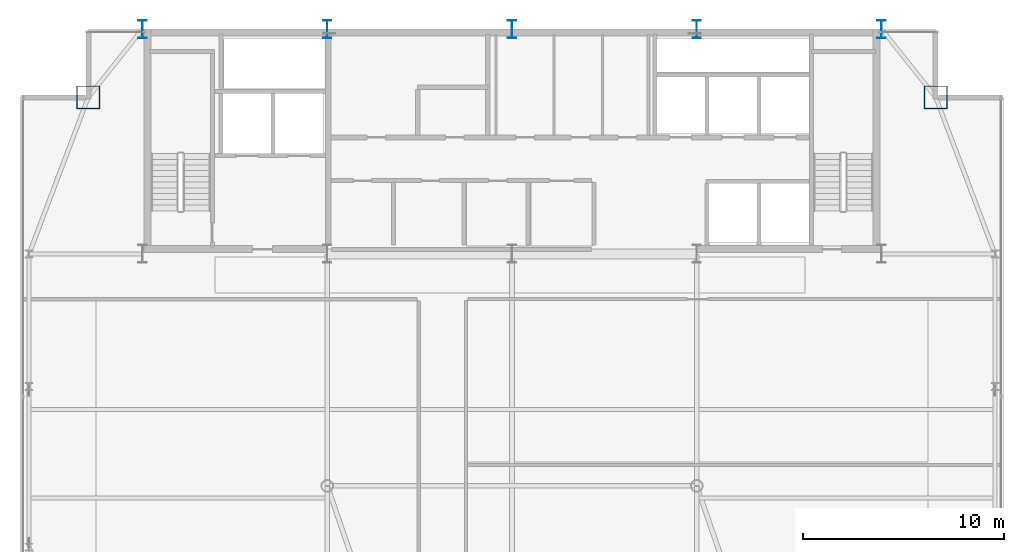
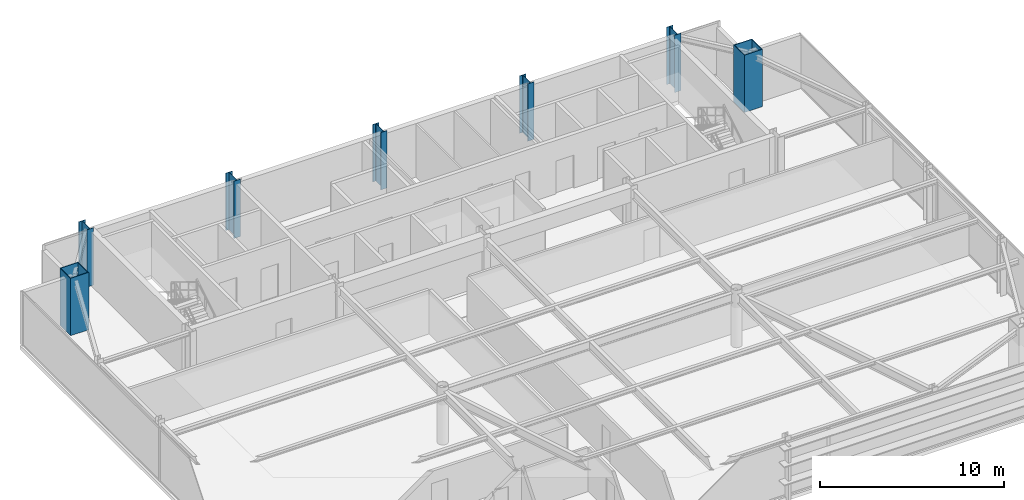
# One storey, part 3 of 25: 7 columns.
"""IFC4 building model written with IfcOpenShell, lengths in metres."""

from ifc_helpers import new_model, si_unit, direction, frame, origin, origin_2d, place, context, subcontext, project, spatial, hollow_rectangle, i_section, extrude, source, transform, mapped, material, material_profile, profile_set, type_object, type_shapes, element, save


model = new_model("IFC4")

# Units and contexts
model_context = context("Model", 3, precision=1e-05, world=origin(), true_north=direction((0.0, 1.0)))
body_context = subcontext(model_context, "Body", "Model", "MODEL_VIEW")
ifc_project = project(units=[si_unit("LENGTHUNIT", "METRE"), si_unit("AREAUNIT", "SQUARE_METRE"), si_unit("VOLUMEUNIT", "CUBIC_METRE"), si_unit("PLANEANGLEUNIT", "RADIAN"), si_unit("MASSUNIT", "GRAM", prefix="KILO")], contexts=[model_context])

# Site, building, storey
site_placement = place(None, origin())
site = spatial("IfcSite", under=ifc_project, at=site_placement, CompositionType="ELEMENT")
building_placement = place(site_placement, origin())
building = spatial("IfcBuilding", under=site, at=building_placement, Name="Varnel Quay Broadcast Tower", CompositionType="ELEMENT")
storey_placement = place(building_placement, frame((0.0, 0.0, 250.800048828125)))
storey = spatial("IfcBuildingStorey", under=building, at=storey_placement, Name="L62", CompositionType="ELEMENT", Elevation=250.800048828125)

# Columns
ifc_material = material(Name="Structural Steel CSA G40.21 350WT", Category="steel")
ifc_material_profile_1 = material_profile(ifc_material, i_section(OverallWidth=0.39990234375, OverallDepth=0.89990234375, WebThickness=0.01611328125, FlangeThickness=0.028076171875, FilletRadius=0.01611328125, at=origin_2d()), Name="WWF900X309")
ifc_profile_set_1 = profile_set([ifc_material_profile_1], Name="Structural Steel CSA G40.21 350WT")
column_type_1 = type_object("IfcColumnType", Name="Col_WWF900X309", PredefinedType="COLUMN", material=ifc_profile_set_1)
shared_shape_1 = source(origin(), body_context, "Body", "SweptSolid", [
    extrude(i_section(OverallWidth=0.39990234375, OverallDepth=0.89990234375, WebThickness=0.01611328125, FlangeThickness=0.028076171875, FilletRadius=0.01611328125, at=origin_2d()), origin(), (0.0, 0.0, 1.0), 3.800048828125),
])
type_shapes(column_type_1, [shared_shape_1])
for number, where, z_axis, x_axis, name in (
    (1, (15.60009765625, 46.800048828125, 0.0), (0.0, 0.0, 1.0), (1.0, 0.0, 0.0), "L62 Column CC-N1"),
    (2, (24.800048828125, 46.800048828125, 0.0), (0.0, 0.0, 1.0), (1.0, 0.0, 0.0), "L62 Column CC-N2"),
    (3, (34.0, 46.800048828125, 0.0), (0.0, 0.0, 1.0), (1.0, 0.0, 0.0), "L62 Column CC-N3"),
    (4, (43.199951171875, 46.800048828125, 0.0), (0.0, 0.0, 1.0), (1.0, 0.0, 0.0), "L62 Column CC-N4"),
    (5, (52.39990234375, 46.800048828125, 0.0), (0.0, 0.0, 1.0), (1.0, 0.0, 0.0), "L62 Column CC-N5"),
):
    element("IfcColumn", number, at=place(storey_placement, frame(where, z_axis=z_axis, x_axis=x_axis)), inside=storey, type_object=column_type_1, Name=name, PredefinedType="COLUMN", context=body_context, shape_type="MappedRepresentation", body=[
        mapped(shared_shape_1, transform((0.0, 0.0, 0.0), x_axis=(1.0, 0.0, 0.0), y_axis=(0.0, 1.0, 0.0), z_axis=(0.0, 0.0, 1.0), scale=1.0)),
    ])
ifc_material_profile_2 = material_profile(ifc_material, hollow_rectangle(XDim=1.14990234375, YDim=1.14990234375, WallThickness=0.044921875, at=origin_2d()), Name="BOX1150X1150X45")
ifc_profile_set_2 = profile_set([ifc_material_profile_2], Name="Structural Steel CSA G40.21 350WT")
column_type_2 = type_object("IfcColumnType", Name="Col_BOX1150X1150X45", PredefinedType="COLUMN", material=ifc_profile_set_2)
shared_shape_2 = source(origin(), body_context, "Body", "SweptSolid", [
    extrude(hollow_rectangle(XDim=1.14990234375, YDim=1.14990234375, WallThickness=0.044921875, at=origin_2d()), origin(), (0.0, 0.0, 1.0), 3.800048828125),
])
type_shapes(column_type_2, [shared_shape_2])
for number, where, z_axis, x_axis, name in (
    (6, (55.10009765625, 43.39990234375, 0.0), (0.0, 0.0, 1.0), (1.0, 0.0, 0.0), "L62 Column MC-NE"),
    (7, (12.89990234375, 43.39990234375, 0.0), (0.0, 0.0, 1.0), (1.0, 0.0, 0.0), "L62 Column MC-NW"),
):
    element("IfcColumn", number, at=place(storey_placement, frame(where, z_axis=z_axis, x_axis=x_axis)), inside=storey, type_object=column_type_2, Name=name, PredefinedType="COLUMN", context=body_context, shape_type="MappedRepresentation", body=[
        mapped(shared_shape_2, transform((0.0, 0.0, 0.0), x_axis=(1.0, 0.0, 0.0), y_axis=(0.0, 1.0, 0.0), z_axis=(0.0, 0.0, 1.0), scale=1.0)),
    ])

save(model, "model.ifc")
